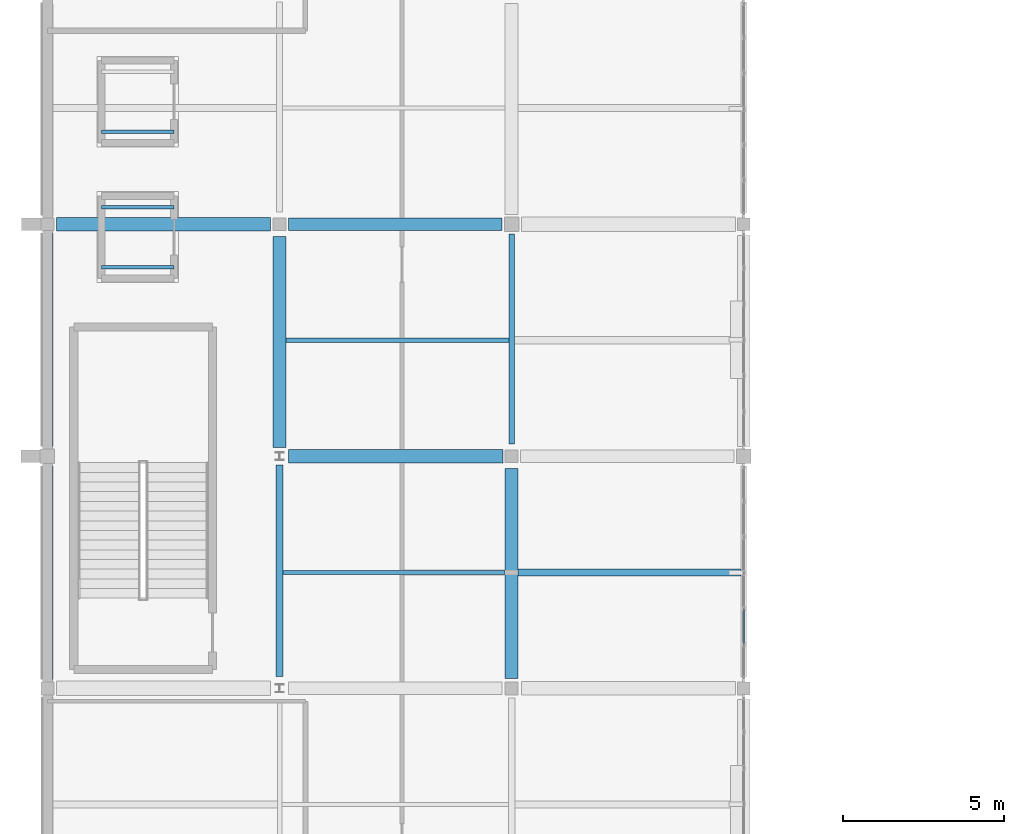
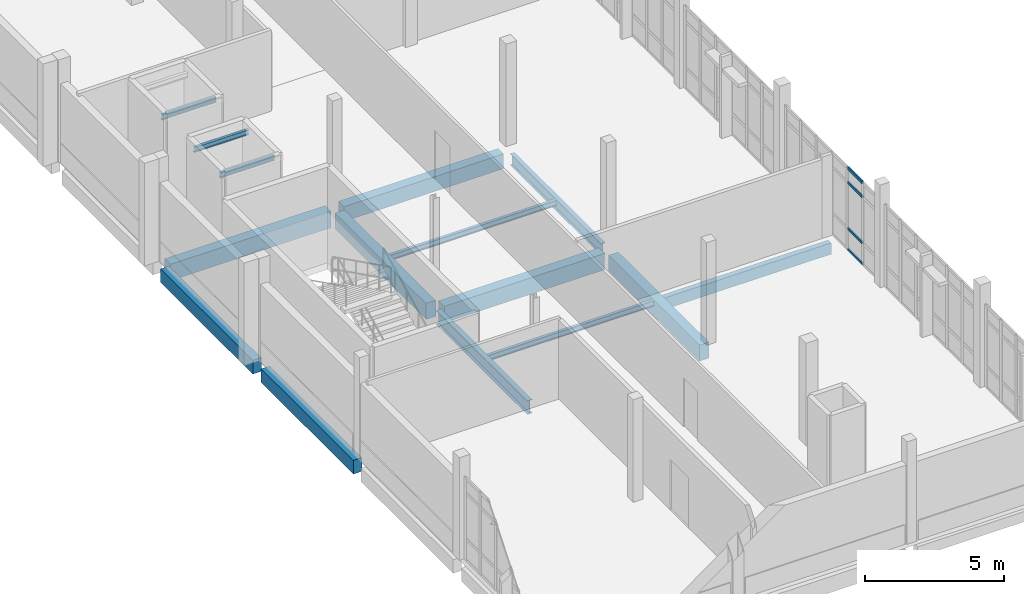
# One storey, part 10 of 62: 15 beams, 4 members, 1 element without a shape of its own.
"""IFC4 building model written with IfcOpenShell, lengths in metres."""

from ifc_helpers import new_model, si_unit, direction, frame, origin, origin_2d, place, context, subcontext, project, spatial, rectangle, hollow_rectangle, i_section, extrude, material, material_profile, profile_set, type_object, element, aggregate, save


model = new_model("IFC4")

# Units and contexts
model_context = context("Model", 3, precision=1e-05, world=origin(), true_north=direction((0.0, 1.0)))
body_context = subcontext(model_context, "Body", "Model", "MODEL_VIEW")
ifc_project = project(units=[si_unit("LENGTHUNIT", "METRE"), si_unit("AREAUNIT", "SQUARE_METRE"), si_unit("VOLUMEUNIT", "CUBIC_METRE"), si_unit("PLANEANGLEUNIT", "RADIAN"), si_unit("MASSUNIT", "GRAM", prefix="KILO")], contexts=[model_context])

# Site, building, storey
site_placement = place(None, origin())
site = spatial("IfcSite", under=ifc_project, at=site_placement, CompositionType="ELEMENT")
building_placement = place(site_placement, origin())
building = spatial("IfcBuilding", under=site, at=building_placement, Name="Kalluvel Institute of Natural Sciences", CompositionType="ELEMENT")
storey_placement = place(building_placement, frame((0.0, 0.0, 27.89990234375)))
storey = spatial("IfcBuildingStorey", under=building, at=storey_placement, Name="L06", CompositionType="ELEMENT", Elevation=27.89990234375)

# Beams
ifc_material_1 = material(Name="Steel E350 Grade 350", Category="steel")
ifc_material_profile_1 = material_profile(ifc_material_1, i_section(OverallWidth=0.110107421875, OverallDepth=0.22509765625, WebThickness=0.006591796875, FlangeThickness=0.01171875, FilletRadius=0.011962890625, at=origin_2d()), Name="ISMB 225")
ifc_profile_set_1 = profile_set([ifc_material_profile_1], Name="Steel E350 Grade 350")
beam_type_1 = type_object("IfcBeamType", Name="BM-ISMB225", PredefinedType="BEAM", material=ifc_profile_set_1)
for number, where, z_axis, x_axis, name in (
    (1, (15.669921875, 55.8701171875, 3.8076171875), (1.0, 0.0, 0.0), (0.0, 1.0, 0.0), "LF6 overrun cap support beam S"),
    (2, (15.669921875, 57.72998046875, 3.8076171875), (1.0, 0.0, 0.0), (0.0, 1.0, 0.0), "LF6 overrun cap support beam N"),
    (3, (15.669921875, 60.070068359375, 3.8076171875), (1.0, 0.0, 0.0), (0.0, 1.0, 0.0), "LF7 overrun cap support beam S"),
):
    element("IfcBeam", number, at=place(storey_placement, frame(where, z_axis=z_axis, x_axis=x_axis)), inside=storey, type_object=beam_type_1, Name=name, PredefinedType="BEAM", context=body_context, shape_type="SweptSolid", body=[
        extrude(i_section(OverallWidth=0.110107421875, OverallDepth=0.22509765625, WebThickness=0.006591796875, FlangeThickness=0.01171875, FilletRadius=0.011962890625, at=origin_2d()), origin(), (0.0, 0.0, 1.0), 2.260009765625),
    ])
ifc_material_profile_2 = material_profile(ifc_material_1, i_section(OverallWidth=0.179931640625, OverallDepth=0.5, WebThickness=0.01025390625, FlangeThickness=0.01708984375, FilletRadius=0.01708984375, at=origin_2d()), Name="ISMB 500")
ifc_profile_set_2 = profile_set([ifc_material_profile_2], Name="Steel E350 Grade 350")
beam_type_2 = type_object("IfcBeamType", Name="BM-ISMB500", PredefinedType="BEAM", material=ifc_profile_set_2)
beam_1_placement = place(storey_placement, frame((28.39990234375, 50.375, -0.5498046875), z_axis=(0.0, 1.0, 0.0), x_axis=(-1.0, 0.0, 0.0)))
element("IfcBeam", 4, at=beam_1_placement, inside=storey, type_object=beam_type_2, Name="L06 girder GIR-L06-NS-X284-Y500", PredefinedType="BEAM", context=body_context, shape_type="SweptSolid", body=[
    extrude(i_section(OverallWidth=0.179931640625, OverallDepth=0.5, WebThickness=0.01025390625, FlangeThickness=0.01708984375, FilletRadius=0.01708984375, at=origin_2d()), origin(), (0.0, 0.0, 1.0), 6.52490234375),
])
ifc_material_profile_3 = material_profile(ifc_material_1, i_section(OverallWidth=0.2099609375, OverallDepth=0.60009765625, WebThickness=0.011962890625, FlangeThickness=0.020751953125, FilletRadius=0.02001953125, at=origin_2d()), Name="ISMB 600")
ifc_profile_set_3 = profile_set([ifc_material_profile_3], Name="Steel E350 Grade 350")
beam_type_3 = type_object("IfcBeamType", Name="BM-ISMB600", PredefinedType="BEAM", material=ifc_profile_set_3)
beam_2_placement = place(storey_placement, frame((21.199951171875, 43.175048828125, -0.599853515625), z_axis=(0.0, 1.0, 0.0), x_axis=(-1.0, 0.0, 0.0)))
element("IfcBeam", 5, at=beam_2_placement, inside=storey, type_object=beam_type_3, Name="L06 girder GIR-L06-NS-X212-Y428", PredefinedType="BEAM", context=body_context, shape_type="SweptSolid", body=[
    extrude(i_section(OverallWidth=0.2099609375, OverallDepth=0.60009765625, WebThickness=0.011962890625, FlangeThickness=0.020751953125, FilletRadius=0.02001953125, at=origin_2d()), origin(), (0.0, 0.0, 1.0), 6.550048828125),
])
ifc_material_2 = material(Name="Concrete M40", Category="concrete")
ifc_material_profile_4 = material_profile(ifc_material_2, rectangle(XDim=0.39990234375, YDim=0.64990234375, at=origin_2d()), Name="RCB 400x650")
ifc_profile_set_4 = profile_set([ifc_material_profile_4], Name="Concrete M40")
beam_type_4 = type_object("IfcBeamType", Name="BM-RC400x650", PredefinedType="BEAM", material=ifc_profile_set_4)
beam_3_placement = place(storey_placement, frame((21.47509765625, 57.199951171875, -0.625), z_axis=(1.0, 0.0, 0.0), x_axis=(0.0, 1.0, 0.0)))
element("IfcBeam", 6, at=beam_3_placement, inside=storey, type_object=beam_type_4, Name="L06 girder GIR-L06-EW-X212-Y572", PredefinedType="BEAM", context=body_context, shape_type="SweptSolid", body=[
    extrude(rectangle(XDim=0.39990234375, YDim=0.64990234375, at=origin_2d()), origin(), (0.0, 0.0, 1.0), 6.625),
])
ifc_material_profile_5 = material_profile(ifc_material_2, rectangle(XDim=0.39990234375, YDim=0.699951171875, at=origin_2d()), Name="RCB 400x700")
ifc_profile_set_5 = profile_set([ifc_material_profile_5], Name="Concrete M40")
beam_type_5 = type_object("IfcBeamType", Name="BM-RC400x700", PredefinedType="BEAM", material=ifc_profile_set_5)
beam_4_placement = place(storey_placement, frame((21.199951171875, 50.27490234375, -0.64990234375), z_axis=(0.0, 1.0, 0.0), x_axis=(-1.0, 0.0, 0.0)))
element("IfcBeam", 7, at=beam_4_placement, inside=storey, type_object=beam_type_5, Name="L06 girder GIR-L06-NS-X212-Y500", PredefinedType="BEAM", context=body_context, shape_type="SweptSolid", body=[
    extrude(rectangle(XDim=0.39990234375, YDim=0.699951171875, at=origin_2d()), origin(), (0.0, 0.0, 1.0), 6.550048828125),
])
beam_5_placement = place(storey_placement, frame((28.39990234375, 43.10009765625, -0.64990234375), z_axis=(0.0, 1.0, 0.0), x_axis=(-1.0, 0.0, 0.0)))
element("IfcBeam", 8, at=beam_5_placement, inside=storey, type_object=beam_type_5, Name="L06 girder GIR-L06-NS-X284-Y428", PredefinedType="BEAM", context=body_context, shape_type="SweptSolid", body=[
    extrude(rectangle(XDim=0.39990234375, YDim=0.699951171875, at=origin_2d()), origin(), (0.0, 0.0, 1.0), 6.52490234375),
])
ifc_material_profile_6 = material_profile(ifc_material_2, rectangle(XDim=0.419921875, YDim=0.719970703125, at=origin_2d()), Name="RCB 420x720")
ifc_profile_set_6 = profile_set([ifc_material_profile_6], Name="Concrete M40")
beam_type_6 = type_object("IfcBeamType", Name="BM-RC420x720", PredefinedType="BEAM", material=ifc_profile_set_6)
beam_6_placement = place(storey_placement, frame((21.47509765625, 50.0, -0.659912109375), z_axis=(1.0, 0.0, 0.0), x_axis=(0.0, 1.0, 0.0)))
element("IfcBeam", 9, at=beam_6_placement, inside=storey, type_object=beam_type_6, Name="L06 girder GIR-L06-EW-X212-Y500", PredefinedType="BEAM", context=body_context, shape_type="SweptSolid", body=[
    extrude(rectangle(XDim=0.419921875, YDim=0.719970703125, at=origin_2d()), origin(), (0.0, 0.0, 1.0), 6.64990234375),
])
beam_7_placement = place(storey_placement, frame((14.27490234375, 57.199951171875, -0.659912109375), z_axis=(1.0, 0.0, 0.0), x_axis=(0.0, 1.0, 0.0)))
element("IfcBeam", 10, at=beam_7_placement, inside=storey, type_object=beam_type_6, Name="L06 girder GIR-L06-EW-X140-Y572", PredefinedType="BEAM", context=body_context, shape_type="SweptSolid", body=[
    extrude(rectangle(XDim=0.419921875, YDim=0.719970703125, at=origin_2d()), origin(), (0.0, 0.0, 1.0), 6.650146484375),
])

# Curtain wall, members
ifc_material_3 = material(Name="Aluminium AW-6063 T6", Category="aluminium")
curtain_wall_type = type_object("IfcCurtainWallType", Name="CW-DRY-45", PredefinedType="USERDEFINED", material=ifc_material_3)
curtain_wall_placement = place(storey_placement, origin())
curtain_wall = element("IfcCurtainWall", 11, at=curtain_wall_placement, inside=storey, type_object=curtain_wall_type, Name="L06 Gothic lancet curtain wall CWA-L06-X356-Y430", ObjectType="UNITISED LANCET FACADE", PredefinedType="USERDEFINED")
ifc_material_profile_7 = material_profile(ifc_material_3, hollow_rectangle(XDim=0.06005859375, YDim=0.1201171875, WallThickness=0.00390625, at=origin_2d()), Name="CWT 60x120")
ifc_profile_set_7 = profile_set([ifc_material_profile_7], Name="Aluminium AW-6063 T6")
member_type = type_object("IfcMemberType", Name="CWT-60x120", PredefinedType="USERDEFINED", material=ifc_profile_set_7)
member_1_placement = place(storey_placement, frame((35.60009765625, 44.1923828125, 0.030029296875), z_axis=(0.0, 1.0, 0.0), x_axis=(-1.0, 0.0, 0.0)))
member_1 = element("IfcMember", 12, at=member_1_placement, type_object=member_type, Name="CW-03 transom 2.1", ObjectType="TRANSOM", PredefinedType="USERDEFINED", context=body_context, shape_type="SweptSolid", body=[
    extrude(hollow_rectangle(XDim=0.06005859375, YDim=0.1201171875, WallThickness=0.00390625, at=origin_2d()), origin(), (0.0, 0.0, 1.0), 1.052734375),
])
member_2_placement = place(storey_placement, frame((35.60009765625, 44.1923828125, 0.9501953125), z_axis=(0.0, 1.0, 0.0), x_axis=(-1.0, 0.0, 0.0)))
member_2 = element("IfcMember", 13, at=member_2_placement, type_object=member_type, Name="CW-03 transom 2.2", ObjectType="TRANSOM", PredefinedType="USERDEFINED", context=body_context, shape_type="SweptSolid", body=[
    extrude(hollow_rectangle(XDim=0.06005859375, YDim=0.1201171875, WallThickness=0.00390625, at=origin_2d()), origin(), (0.0, 0.0, 1.0), 1.052734375),
])
member_3_placement = place(storey_placement, frame((35.60009765625, 44.1923828125, 2.97021484375), z_axis=(0.0, 1.0, 0.0), x_axis=(-1.0, 0.0, 0.0)))
member_3 = element("IfcMember", 14, at=member_3_placement, type_object=member_type, Name="CW-03 transom 2.3", ObjectType="TRANSOM", PredefinedType="USERDEFINED", context=body_context, shape_type="SweptSolid", body=[
    extrude(hollow_rectangle(XDim=0.06005859375, YDim=0.1201171875, WallThickness=0.00390625, at=origin_2d()), origin(), (0.0, 0.0, 1.0), 1.052734375),
])
member_4_placement = place(storey_placement, frame((35.60009765625, 44.1923828125, 3.590087890625), z_axis=(0.0, 1.0, 0.0), x_axis=(-1.0, 0.0, 0.0)))
member_4 = element("IfcMember", 15, at=member_4_placement, type_object=member_type, Name="CW-03 transom 2.4", ObjectType="TRANSOM", PredefinedType="USERDEFINED", context=body_context, shape_type="SweptSolid", body=[
    extrude(hollow_rectangle(XDim=0.06005859375, YDim=0.1201171875, WallThickness=0.00390625, at=origin_2d()), origin(), (0.0, 0.0, 1.0), 1.052734375),
])
aggregate(curtain_wall, [member_1, member_2, member_3, member_4])

# Beams
ifc_material_profile_8 = material_profile(ifc_material_2, rectangle(XDim=0.35009765625, YDim=0.60009765625, at=origin_2d()), Name="RCB 350x600")
ifc_profile_set_8 = profile_set([ifc_material_profile_8], Name="Concrete M40")
beam_type_7 = type_object("IfcBeamType", Name="SP-RC350x600", PredefinedType="SPANDREL", material=ifc_profile_set_8)
for number, where, z_axis, x_axis, name in (
    (16, (14.0, 43.074951171875, -0.599853515625), (0.0, 1.0, 0.0), (-1.0, 0.0, 0.0), "L06 girder GIR-L06-NS-X140-Y428"),
    (17, (14.0, 50.300048828125, -0.599853515625), (0.0, 1.0, 0.0), (-1.0, 0.0, 0.0), "L06 girder GIR-L06-NS-X140-Y500"),
):
    element("IfcBeam", number, at=place(storey_placement, frame(where, z_axis=z_axis, x_axis=x_axis)), inside=storey, type_object=beam_type_7, Name=name, PredefinedType="SPANDREL", context=body_context, shape_type="SweptSolid", body=[
        extrude(rectangle(XDim=0.35009765625, YDim=0.60009765625, at=origin_2d()), origin(), (0.0, 0.0, 1.0), 6.625),
    ])
ifc_material_profile_9 = material_profile(ifc_material_2, rectangle(XDim=0.219970703125, YDim=0.5, at=origin_2d()), Name="WAF 220x500")
ifc_profile_set_9 = profile_set([ifc_material_profile_9], Name="Concrete M40")
beam_type_8 = type_object("IfcBeamType", Name="WJ-220x500", PredefinedType="JOIST", material=ifc_profile_set_9)
beam_8_placement = place(storey_placement, frame((28.60009765625, 46.39990234375, -0.5498046875), z_axis=(1.0, 0.0, 0.0), x_axis=(0.0, 1.0, 0.0)))
element("IfcBeam", 18, at=beam_8_placement, inside=storey, type_object=beam_type_8, Name="L06 floor rib RIB-L06-0761", PredefinedType="JOIST", context=body_context, shape_type="SweptSolid", body=[
    extrude(rectangle(XDim=0.219970703125, YDim=0.5, at=origin_2d()), origin(), (0.0, 0.0, 1.0), 6.909912109375),
])
ifc_material_profile_10 = material_profile(ifc_material_1, i_section(OverallWidth=0.125, OverallDepth=0.25, WebThickness=0.0068359375, FlangeThickness=0.012451171875, FilletRadius=0.012939453125, at=origin_2d()), Name="ISMB 250")
ifc_profile_set_10 = profile_set([ifc_material_profile_10], Name="Steel E350 Grade 350")
beam_type_9 = type_object("IfcBeamType", Name="WJ-ISMB250", PredefinedType="JOIST", material=ifc_profile_set_10)
beam_9_placement = place(storey_placement, frame((21.304931640625, 46.39990234375, -0.4248046875), z_axis=(1.0, 0.0, 0.0), x_axis=(0.0, 1.0, 0.0)))
element("IfcBeam", 19, at=beam_9_placement, inside=storey, type_object=beam_type_9, Name="L06 floor rib RIB-L06-0760", PredefinedType="JOIST", context=body_context, shape_type="SweptSolid", body=[
    extrude(i_section(OverallWidth=0.125, OverallDepth=0.25, WebThickness=0.0068359375, FlangeThickness=0.012451171875, FilletRadius=0.012939453125, at=origin_2d()), origin(), (0.0, 0.0, 1.0), 6.89501953125),
])
beam_10_placement = place(storey_placement, frame((21.39990234375, 53.60009765625, -0.4248046875), z_axis=(1.0, 0.0, 0.0), x_axis=(0.0, 1.0, 0.0)))
element("IfcBeam", 20, at=beam_10_placement, inside=storey, type_object=beam_type_9, Name="L06 floor rib RIB-L06-0762", PredefinedType="JOIST", context=body_context, shape_type="SweptSolid", body=[
    extrude(i_section(OverallWidth=0.125, OverallDepth=0.25, WebThickness=0.0068359375, FlangeThickness=0.012451171875, FilletRadius=0.012939453125, at=origin_2d()), origin(), (0.0, 0.0, 1.0), 6.91015625),
])

save(model, "model.ifc")
